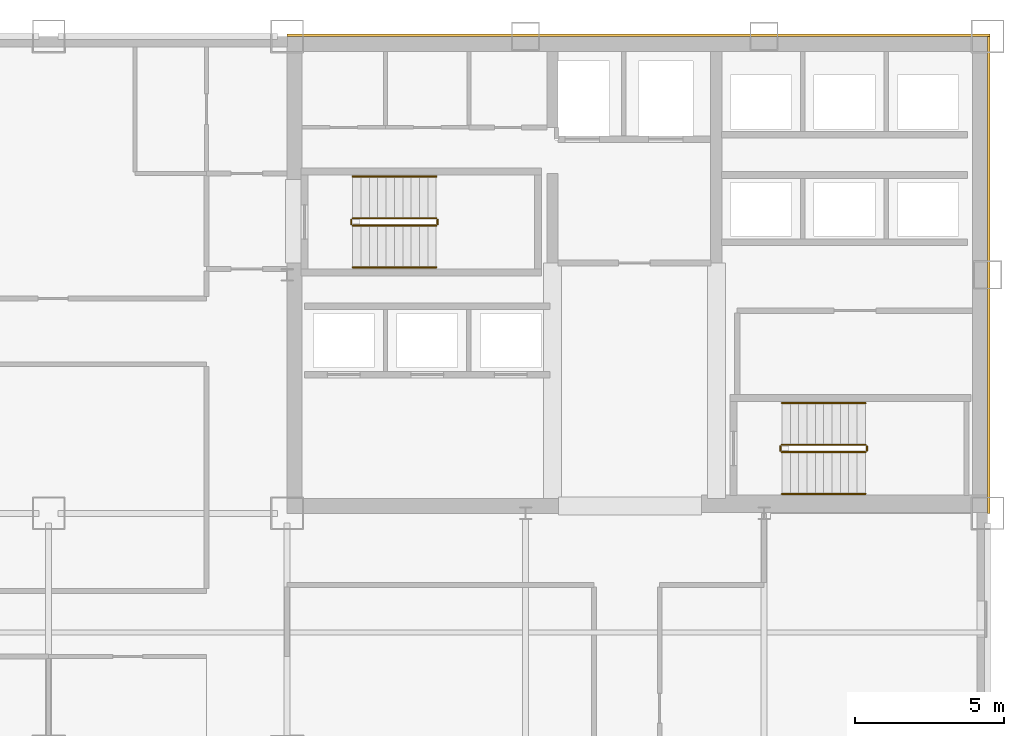
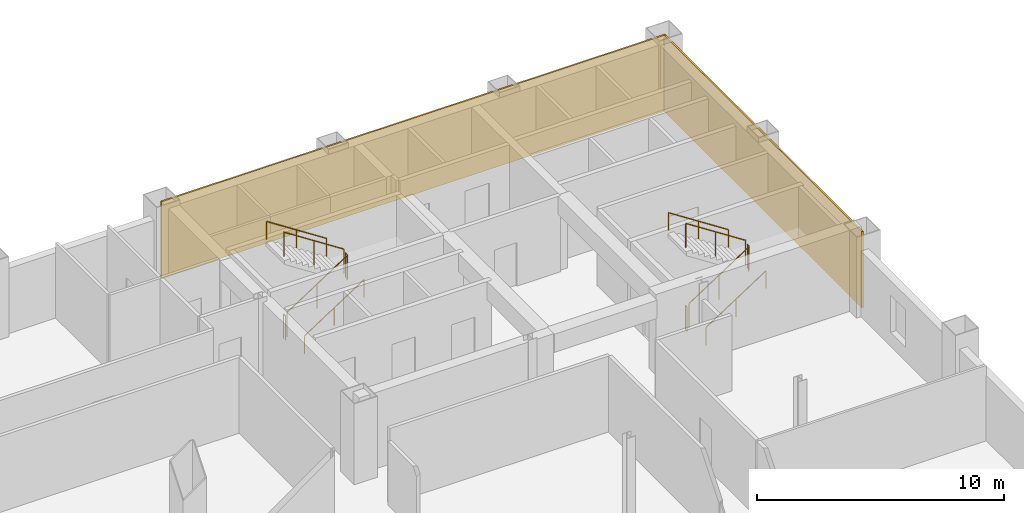
# One storey, part 10 of 10: 12 railings, 2 coverings.
"""IFC4 building model written with IfcOpenShell, lengths in metres."""

from ifc_helpers import new_model, si_unit, direction, frame, origin, origin_2d, place, context, subcontext, project, spatial, rectangle, circle, extrude, material, layer, layer_set, type_object, element, save


model = new_model("IFC4")

# Units and contexts
model_context = context("Model", 3, precision=1e-05, world=origin(), true_north=direction((0.0, 1.0)))
body_context = subcontext(model_context, "Body", "Model", "MODEL_VIEW")
ifc_project = project(units=[si_unit("LENGTHUNIT", "METRE"), si_unit("AREAUNIT", "SQUARE_METRE"), si_unit("VOLUMEUNIT", "CUBIC_METRE"), si_unit("PLANEANGLEUNIT", "RADIAN"), si_unit("MASSUNIT", "GRAM", prefix="KILO")], contexts=[model_context])

# Site, building, storey
site_placement = place(None, origin())
site = spatial("IfcSite", under=ifc_project, at=site_placement, CompositionType="ELEMENT")
building_placement = place(site_placement, origin())
building = spatial("IfcBuilding", under=site, at=building_placement, Name="Qianrong Seaharbour Tower", CompositionType="ELEMENT")
storey_placement = place(building_placement, frame((0.0, 0.0, 171.0)))
storey = spatial("IfcBuildingStorey", under=building, at=storey_placement, Name="L41", CompositionType="ELEMENT", Elevation=171.0)

# Coverings
ifc_material_1 = material(Name="Unitised red brick cladding on Precast concrete C45/55", Category="masonry")
ifc_layer = layer(ifc_material_1, 0.080078125)
ifc_layer_set = layer_set([ifc_layer], Name="Unitised red brick cladding on Precast concrete C45/55")
covering_type = type_object("IfcCoveringType", Name="COV-CLAD-RED-BRICK-80", PredefinedType="CLADDING", material=ifc_layer_set)
covering_1_placement = place(storey_placement, frame((52.2900390625, 52.0400390625, 0.0), z_axis=(0.0, 0.0, 1.0), x_axis=(1.0, 0.0, 0.0)))
element("IfcCovering", 1, at=covering_1_placement, inside=storey, type_object=covering_type, Name="L41 North Core Brick Veneer Cladding", PredefinedType="CLADDING", context=body_context, shape_type="SweptSolid", body=[
    extrude(rectangle(XDim=23.580078125, YDim=0.080078125, at=origin_2d()), origin(), (0.0, 0.0, 1.0), 3.764892578125),
])
covering_2_placement = place(storey_placement, frame((64.0400390625, 44.0, 0.0), z_axis=(0.0, 0.0, 1.0), x_axis=(1.0, 0.0, 0.0)))
element("IfcCovering", 2, at=covering_2_placement, inside=storey, type_object=covering_type, Name="L41 East Core Brick Veneer Cladding", PredefinedType="CLADDING", context=body_context, shape_type="SweptSolid", body=[
    extrude(rectangle(XDim=0.080078125, YDim=16.0, at=origin_2d()), origin(), (0.0, 0.0, 1.0), 3.764892578125),
])

# Railings
ifc_material_2 = material(Name="Galvanized painted steel SN400B stair guard", Category="steel")
railing_type_1 = type_object("IfcRailingType", Name="RAIL-STAIR-GUARD-1220", PredefinedType="GUARDRAIL", material=ifc_material_2)
railing_1_placement = place(storey_placement, frame((42.699951171875, 45.64990234375, 0.181884765625)))
element("IfcRailing", 3, at=railing_1_placement, inside=storey, type_object=railing_type_1, Name="L41 ST-1 stair guard 1", PredefinedType="GUARDRAIL", context=body_context, shape_type="SweptSolid", body=[
    extrude(circle(Radius=0.02392578125, at=origin_2d()), frame((0.0, 0.0, 1.19580078125), z_axis=(0.838705829183, 0.0, 0.544584733623), x_axis=(0.0, 1.0, 0.0)), (0.0, 0.0, 1.0), 3.338623046875),
    extrude(circle(Radius=0.02099609375, at=origin_2d()), origin(), (0.0, 0.0, 1.0), 1.171875),
    extrude(circle(Radius=0.02099609375, at=origin_2d()), frame((1.39990234375, 0.0, 0.9091796875)), (0.0, 0.0, 1.0), 1.171875),
    extrude(circle(Radius=0.02099609375, at=origin_2d()), frame((2.800048828125, 0.0, 1.818115234375)), (0.0, 0.0, 1.0), 1.171875),
])
railing_2_placement = place(storey_placement, frame((45.550048828125, 45.699951171875, 2.0)))
element("IfcRailing", 4, at=railing_2_placement, inside=storey, type_object=railing_type_1, Name="L41 ST-1 stair guard 2", PredefinedType="GUARDRAIL", context=body_context, shape_type="SweptSolid", body=[
    extrude(circle(Radius=0.02392578125, at=origin_2d()), frame((0.0, 0.0, 1.19580078125), z_axis=(0.0, 1.0, 0.0), x_axis=(-1.0, 0.0, 0.0)), (0.0, 0.0, 1.0), 0.150146484375),
    extrude(circle(Radius=0.02099609375, at=origin_2d()), origin(), (0.0, 0.0, 1.0), 1.171875),
    extrude(circle(Radius=0.02099609375, at=origin_2d()), frame((0.0, 0.150146484375, 0.0)), (0.0, 0.0, 1.0), 1.171875),
])
railing_3_placement = place(storey_placement, frame((45.5, 45.89990234375, 2.181884765625)))
element("IfcRailing", 5, at=railing_3_placement, inside=storey, type_object=railing_type_1, Name="L41 ST-1 stair guard 3", PredefinedType="GUARDRAIL", context=body_context, shape_type="SweptSolid", body=[
    extrude(circle(Radius=0.02392578125, at=origin_2d()), frame((0.0, 0.0, 1.19580078125), z_axis=(-0.838705829183, 0.0, 0.544584733623), x_axis=(0.0, -1.0, 0.0)), (0.0, 0.0, 1.0), 3.338623046875),
    extrude(circle(Radius=0.02099609375, at=origin_2d()), origin(), (0.0, 0.0, 1.0), 1.171875),
    extrude(circle(Radius=0.02099609375, at=origin_2d()), frame((-1.39990234375, 0.0, 0.9091796875)), (0.0, 0.0, 1.0), 1.171875),
    extrude(circle(Radius=0.02099609375, at=origin_2d()), frame((-2.800048828125, 0.0, 1.818115234375)), (0.0, 0.0, 1.0), 1.171875),
])
railing_4_placement = place(storey_placement, frame((42.64990234375, 45.699951171875, 0.0)))
element("IfcRailing", 6, at=railing_4_placement, inside=storey, type_object=railing_type_1, Name="L41 ST-1 stair guard 4", PredefinedType="GUARDRAIL", context=body_context, shape_type="SweptSolid", body=[
    extrude(circle(Radius=0.02392578125, at=origin_2d()), frame((0.0, 0.0, 1.19580078125), z_axis=(0.0, 1.0, 0.0), x_axis=(-1.0, 0.0, 0.0)), (0.0, 0.0, 1.0), 0.150146484375),
    extrude(circle(Radius=0.02099609375, at=origin_2d()), origin(), (0.0, 0.0, 1.0), 1.171875),
    extrude(circle(Radius=0.02099609375, at=origin_2d()), frame((0.0, 0.150146484375, 0.0)), (0.0, 0.0, 1.0), 1.171875),
])
railing_5_placement = place(storey_placement, frame((57.10009765625, 38.050048828125, 0.181884765625)))
element("IfcRailing", 7, at=railing_5_placement, inside=storey, type_object=railing_type_1, Name="L41 ST-2 stair guard 1", PredefinedType="GUARDRAIL", context=body_context, shape_type="SweptSolid", body=[
    extrude(circle(Radius=0.02392578125, at=origin_2d()), frame((0.0, 0.0, 1.19580078125), z_axis=(0.83868413941, 0.0, 0.544618136222), x_axis=(0.0, 1.0, 0.0)), (0.0, 0.0, 1.0), 3.33837890625),
    extrude(circle(Radius=0.02099609375, at=origin_2d()), origin(), (0.0, 0.0, 1.0), 1.171875),
    extrude(circle(Radius=0.02099609375, at=origin_2d()), frame((1.39990234375, 0.0, 0.9091796875)), (0.0, 0.0, 1.0), 1.171875),
    extrude(circle(Radius=0.02099609375, at=origin_2d()), frame((2.7998046875, 0.0, 1.818115234375)), (0.0, 0.0, 1.0), 1.171875),
])
railing_6_placement = place(storey_placement, frame((59.949951171875, 38.10009765625, 2.0)))
element("IfcRailing", 8, at=railing_6_placement, inside=storey, type_object=railing_type_1, Name="L41 ST-2 stair guard 2", PredefinedType="GUARDRAIL", context=body_context, shape_type="SweptSolid", body=[
    extrude(circle(Radius=0.02392578125, at=origin_2d()), frame((0.0, 0.0, 1.19580078125), z_axis=(0.0, 1.0, 0.0), x_axis=(-1.0, 0.0, 0.0)), (0.0, 0.0, 1.0), 0.14990234375),
    extrude(circle(Radius=0.02099609375, at=origin_2d()), origin(), (0.0, 0.0, 1.0), 1.171875),
    extrude(circle(Radius=0.02099609375, at=origin_2d()), frame((0.0, 0.14990234375, 0.0)), (0.0, 0.0, 1.0), 1.171875),
])
railing_7_placement = place(storey_placement, frame((59.89990234375, 38.300048828125, 2.181884765625)))
element("IfcRailing", 9, at=railing_7_placement, inside=storey, type_object=railing_type_1, Name="L41 ST-2 stair guard 3", PredefinedType="GUARDRAIL", context=body_context, shape_type="SweptSolid", body=[
    extrude(circle(Radius=0.02392578125, at=origin_2d()), frame((0.0, 0.0, 1.19580078125), z_axis=(-0.83868413941, 0.0, 0.544618136222), x_axis=(0.0, -1.0, 0.0)), (0.0, 0.0, 1.0), 3.33837890625),
    extrude(circle(Radius=0.02099609375, at=origin_2d()), origin(), (0.0, 0.0, 1.0), 1.171875),
    extrude(circle(Radius=0.02099609375, at=origin_2d()), frame((-1.39990234375, 0.0, 0.9091796875)), (0.0, 0.0, 1.0), 1.171875),
    extrude(circle(Radius=0.02099609375, at=origin_2d()), frame((-2.7998046875, 0.0, 1.818115234375)), (0.0, 0.0, 1.0), 1.171875),
])
railing_8_placement = place(storey_placement, frame((57.050048828125, 38.10009765625, 0.0)))
element("IfcRailing", 10, at=railing_8_placement, inside=storey, type_object=railing_type_1, Name="L41 ST-2 stair guard 4", PredefinedType="GUARDRAIL", context=body_context, shape_type="SweptSolid", body=[
    extrude(circle(Radius=0.02392578125, at=origin_2d()), frame((0.0, 0.0, 1.19580078125), z_axis=(0.0, 1.0, 0.0), x_axis=(-1.0, 0.0, 0.0)), (0.0, 0.0, 1.0), 0.14990234375),
    extrude(circle(Radius=0.02099609375, at=origin_2d()), origin(), (0.0, 0.0, 1.0), 1.171875),
    extrude(circle(Radius=0.02099609375, at=origin_2d()), frame((0.0, 0.14990234375, 0.0)), (0.0, 0.0, 1.0), 1.171875),
])
ifc_material_3 = material(Name="Stainless steel SUS316L continuous handrail", Category="steel")
railing_type_2 = type_object("IfcRailingType", Name="RAIL-STAIR-HANDRAIL-900", PredefinedType="HANDRAIL", material=ifc_material_3)
railing_9_placement = place(storey_placement, frame((42.699951171875, 44.25, 0.181884765625)))
element("IfcRailing", 11, at=railing_9_placement, inside=storey, type_object=railing_type_2, Name="L41 ST-1 stair handrail 1", PredefinedType="HANDRAIL", context=body_context, shape_type="SweptSolid", body=[
    extrude(circle(Radius=0.02392578125, at=origin_2d()), frame((0.0, 0.0, 0.8759765625), z_axis=(0.838705829183, 0.0, 0.544584733623), x_axis=(0.0, 1.0, 0.0)), (0.0, 0.0, 1.0), 3.338623046875),
    extrude(circle(Radius=0.02099609375, at=origin_2d()), origin(), (0.0, 0.0, 1.0), 0.851806640625),
    extrude(circle(Radius=0.02099609375, at=origin_2d()), frame((1.39990234375, 0.0, 0.9091796875)), (0.0, 0.0, 1.0), 0.851806640625),
    extrude(circle(Radius=0.02099609375, at=origin_2d()), frame((2.800048828125, 0.0, 1.818115234375)), (0.0, 0.0, 1.0), 0.851806640625),
])
railing_10_placement = place(storey_placement, frame((45.5, 47.300048828125, 2.181884765625)))
element("IfcRailing", 12, at=railing_10_placement, inside=storey, type_object=railing_type_2, Name="L41 ST-1 stair handrail 2", PredefinedType="HANDRAIL", context=body_context, shape_type="SweptSolid", body=[
    extrude(circle(Radius=0.02392578125, at=origin_2d()), frame((0.0, 0.0, 0.8759765625), z_axis=(-0.838705829183, 0.0, 0.544584733623), x_axis=(0.0, -1.0, 0.0)), (0.0, 0.0, 1.0), 3.338623046875),
    extrude(circle(Radius=0.02099609375, at=origin_2d()), origin(), (0.0, 0.0, 1.0), 0.851806640625),
    extrude(circle(Radius=0.02099609375, at=origin_2d()), frame((-1.39990234375, 0.0, 0.9091796875)), (0.0, 0.0, 1.0), 0.851806640625),
    extrude(circle(Radius=0.02099609375, at=origin_2d()), frame((-2.800048828125, 0.0, 1.818115234375)), (0.0, 0.0, 1.0), 0.851806640625),
])
railing_11_placement = place(storey_placement, frame((57.10009765625, 36.64990234375, 0.181884765625)))
element("IfcRailing", 13, at=railing_11_placement, inside=storey, type_object=railing_type_2, Name="L41 ST-2 stair handrail 1", PredefinedType="HANDRAIL", context=body_context, shape_type="SweptSolid", body=[
    extrude(circle(Radius=0.02392578125, at=origin_2d()), frame((0.0, 0.0, 0.8759765625), z_axis=(0.83868413941, 0.0, 0.544618136222), x_axis=(0.0, 1.0, 0.0)), (0.0, 0.0, 1.0), 3.33837890625),
    extrude(circle(Radius=0.02099609375, at=origin_2d()), origin(), (0.0, 0.0, 1.0), 0.851806640625),
    extrude(circle(Radius=0.02099609375, at=origin_2d()), frame((1.39990234375, 0.0, 0.9091796875)), (0.0, 0.0, 1.0), 0.851806640625),
    extrude(circle(Radius=0.02099609375, at=origin_2d()), frame((2.7998046875, 0.0, 1.818115234375)), (0.0, 0.0, 1.0), 0.851806640625),
])
railing_12_placement = place(storey_placement, frame((59.89990234375, 39.699951171875, 2.181884765625)))
element("IfcRailing", 14, at=railing_12_placement, inside=storey, type_object=railing_type_2, Name="L41 ST-2 stair handrail 2", PredefinedType="HANDRAIL", context=body_context, shape_type="SweptSolid", body=[
    extrude(circle(Radius=0.02392578125, at=origin_2d()), frame((0.0, 0.0, 0.8759765625), z_axis=(-0.83868413941, 0.0, 0.544618136222), x_axis=(0.0, -1.0, 0.0)), (0.0, 0.0, 1.0), 3.33837890625),
    extrude(circle(Radius=0.02099609375, at=origin_2d()), origin(), (0.0, 0.0, 1.0), 0.851806640625),
    extrude(circle(Radius=0.02099609375, at=origin_2d()), frame((-1.39990234375, 0.0, 0.9091796875)), (0.0, 0.0, 1.0), 0.851806640625),
    extrude(circle(Radius=0.02099609375, at=origin_2d()), frame((-2.7998046875, 0.0, 1.818115234375)), (0.0, 0.0, 1.0), 0.851806640625),
])

save(model, "model.ifc")
